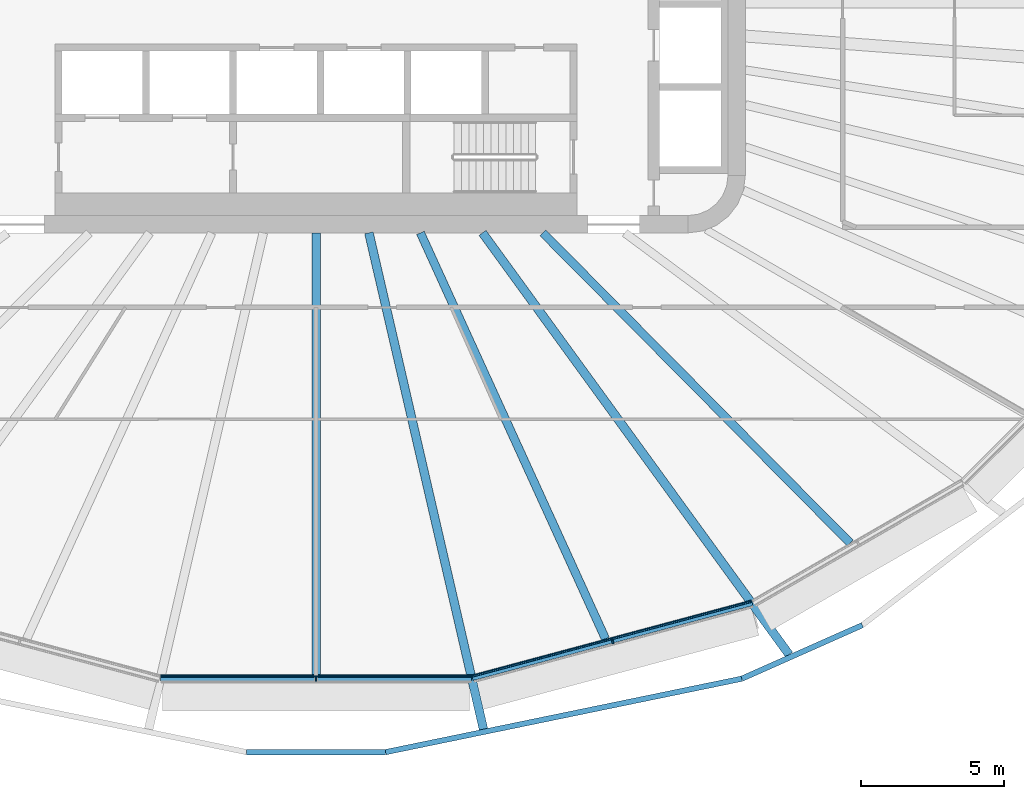
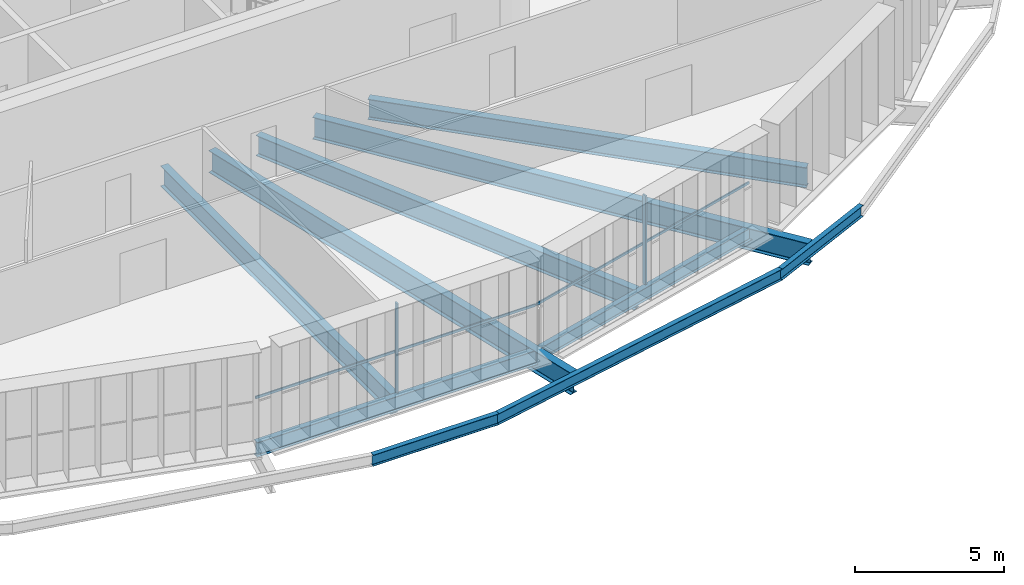
# One storey, part 4 of 25: 10 beams, 4 members, 2 elements without a shape of their own.
"""IFC4 building model written with IfcOpenShell, lengths in metres."""

from ifc_helpers import new_model, si_unit, direction, frame, origin, origin_2d, place, context, subcontext, project, spatial, rectangle, i_section, extrude, material, layer, layer_set, material_profile, profile_set, type_object, element, aggregate, save


model = new_model("IFC4")

# Units and contexts
model_context = context("Model", 3, precision=1e-05, world=origin(), true_north=direction((0.0, 1.0)))
body_context = subcontext(model_context, "Body", "Model", "MODEL_VIEW")
ifc_project = project(units=[si_unit("LENGTHUNIT", "METRE"), si_unit("AREAUNIT", "SQUARE_METRE"), si_unit("VOLUMEUNIT", "CUBIC_METRE"), si_unit("PLANEANGLEUNIT", "RADIAN"), si_unit("MASSUNIT", "GRAM", prefix="KILO")], contexts=[model_context])

# Site, building, storey
site_placement = place(None, origin())
site = spatial("IfcSite", under=ifc_project, at=site_placement, CompositionType="ELEMENT")
building_placement = place(site_placement, origin())
building = spatial("IfcBuilding", under=site, at=building_placement, Name="Sahrelin Media Tower", CompositionType="ELEMENT")
storey_placement = place(building_placement, frame((0.0, 0.0, 144.0)))
storey = spatial("IfcBuildingStorey", under=building, at=storey_placement, Name="L29", CompositionType="ELEMENT", Elevation=144.0)

# Beams
ifc_material_1 = material(Name="Steel S355", Category="steel")
ifc_material_profile_1 = material_profile(ifc_material_1, i_section(OverallWidth=0.208740234375, OverallDepth=0.5283203125, WebThickness=0.009521484375, FlangeThickness=0.01318359375, FilletRadius=0.0126953125, at=origin_2d()), Name="UB 533x210x82")
ifc_profile_set_1 = profile_set([ifc_material_profile_1], Name="Steel S355")
beam_type_1 = type_object("IfcBeamType", Name="Edge beam EB6", PredefinedType="BEAM", material=ifc_profile_set_1)
beam_1_placement = place(storey_placement, frame((15.23779296875, -20.9228515625, -0.414306640625), z_axis=(-0.96592349726, -0.258827737002, 0.0), x_axis=(0.258827737002, -0.96592349726, 0.0)))
element("IfcBeam", 1, at=beam_1_placement, inside=storey, type_object=beam_type_1, Name="Edge beam L29-06", PredefinedType="BEAM", context=body_context, shape_type="SweptSolid", body=[
    extrude(i_section(OverallWidth=0.208740234375, OverallDepth=0.5283203125, WebThickness=0.009521484375, FlangeThickness=0.01318359375, FilletRadius=0.0126953125, at=origin_2d()), origin(), (0.0, 0.0, 1.0), 10.119140625),
])
ifc_material_profile_2 = material_profile(ifc_material_1, i_section(OverallWidth=0.2275390625, OverallDepth=0.6025390625, WebThickness=0.010498046875, FlangeThickness=0.014892578125, FilletRadius=0.0126953125, at=origin_2d()), Name="UB 610x229x101")
ifc_profile_set_2 = profile_set([ifc_material_profile_2], Name="Steel S355")
beam_type_2 = type_object("IfcBeamType", Name="Edge beam EB7", PredefinedType="BEAM", material=ifc_profile_set_2)
beam_2_placement = place(storey_placement, frame((5.434814453125, -23.545654296875, -0.451416015625), z_axis=(-1.0, 0.0, 0.0), x_axis=(0.0, -1.0, 0.0)))
element("IfcBeam", 2, at=beam_2_placement, inside=storey, type_object=beam_type_2, Name="Edge beam L29-07", PredefinedType="BEAM", context=body_context, shape_type="SweptSolid", body=[
    extrude(i_section(OverallWidth=0.2275390625, OverallDepth=0.6025390625, WebThickness=0.010498046875, FlangeThickness=0.014892578125, FilletRadius=0.0126953125, at=origin_2d()), origin(), (0.0, 0.0, 1.0), 10.86962890625),
])

# Curtain wall, member
ifc_material_2 = material(Name="Champagne anodised aluminium 6063-T6", Category="aluminium")
ifc_layer = layer(ifc_material_2, 0.14990234375)
ifc_layer_set = layer_set([ifc_layer], Name="Tower ribbon curtain wall")
curtain_wall_type = type_object("IfcCurtainWallType", Name="Tower ribbon curtain wall", PredefinedType="NOTDEFINED", material=ifc_layer_set)
curtain_wall_1_placement = place(storey_placement, frame((0.0, -23.69580078125, 0.0), z_axis=(0.0, 0.0, 1.0), x_axis=(1.0, 0.0, 0.0)))
curtain_wall_1 = element("IfcCurtainWall", 3, at=curtain_wall_1_placement, inside=storey, type_object=curtain_wall_type, Name="L29:CW:L29-18", PredefinedType="NOTDEFINED")
ifc_material_profile_3 = material_profile(ifc_material_2, rectangle(XDim=0.06005859375, YDim=0.14990234375, at=origin_2d()), Name="Mullion 60x150")
ifc_profile_set_3 = profile_set([ifc_material_profile_3], Name="Champagne anodised aluminium 6063-T6")
member_type_1 = type_object("IfcMemberType", Name="Mullion 60x150 CW1", PredefinedType="MULLION", material=ifc_profile_set_3)
member_1_placement = place(storey_placement, frame((0.0, -23.6005859375, 0.0), z_axis=(0.0, 0.0, 1.0), x_axis=(1.0, 0.0, 0.0)))
member_1 = element("IfcMember", 4, at=member_1_placement, type_object=member_type_1, Name="L29:CWM:L29-18", PredefinedType="MULLION", context=body_context, shape_type="SweptSolid", body=[
    extrude(rectangle(XDim=0.06005859375, YDim=0.14990234375, at=origin_2d()), origin(), (0.0, 0.0, 1.0), 3.648681640625),
])

curtain_wall_2_placement = place(storey_placement, frame((10.389404296875, -22.377197265625, 0.0), z_axis=(0.0, 0.0, 1.0), x_axis=(1.0, 0.0, 0.0)))
curtain_wall_2 = element("IfcCurtainWall", 5, at=curtain_wall_2_placement, inside=storey, type_object=curtain_wall_type, Name="L29:CW:L29-19", PredefinedType="NOTDEFINED")
member_2_placement = place(storey_placement, frame((10.364990234375, -22.285400390625, 0.0), z_axis=(0.0, 0.0, 1.0), x_axis=(0.965925826289, 0.258819045103, 0.0)))
member_2 = element("IfcMember", 6, at=member_2_placement, type_object=member_type_1, Name="L29:CWM:L29-19", PredefinedType="MULLION", context=body_context, shape_type="SweptSolid", body=[
    extrude(rectangle(XDim=0.06005859375, YDim=0.14990234375, at=origin_2d()), origin(), (0.0, 0.0, 1.0), 3.648681640625),
])

# Beams
ifc_material_profile_4 = material_profile(ifc_material_1, i_section(OverallWidth=0.30322265625, OverallDepth=0.903076171875, WebThickness=0.01513671875, FlangeThickness=0.020263671875, FilletRadius=0.01904296875, at=origin_2d()), Name="UB 914x305x201")
ifc_profile_set_4 = profile_set([ifc_material_profile_4], Name="Steel S355")
beam_type_3 = type_object("IfcBeamType", Name="Radial primary beam PB11", PredefinedType="BEAM", material=ifc_profile_set_4)
beam_3_placement = place(storey_placement, frame((1.846435546875, -8.0, -0.6015625), z_axis=(0.224896572048, -0.97438264141, 0.0), x_axis=(0.97438264141, 0.224896572048, 0.0)))
element("IfcBeam", 7, at=beam_3_placement, inside=storey, type_object=beam_type_3, Name="Radial beam L29-19", PredefinedType="BEAM", context=body_context, shape_type="SweptSolid", body=[
    extrude(i_section(OverallWidth=0.30322265625, OverallDepth=0.903076171875, WebThickness=0.01513671875, FlangeThickness=0.020263671875, FilletRadius=0.01904296875, at=origin_2d()), origin(), (0.0, 0.0, 1.0), 17.799072265625),
])
beam_4_placement = place(storey_placement, frame((5.81591796875, -8.0, -0.6015625), z_axis=(0.588034674596, -0.808835719707, 0.0), x_axis=(0.808835719707, 0.588034674596, 0.0)))
element("IfcBeam", 8, at=beam_4_placement, inside=storey, type_object=beam_type_3, Name="Radial beam L29-20", PredefinedType="BEAM", context=body_context, shape_type="SweptSolid", body=[
    extrude(i_section(OverallWidth=0.30322265625, OverallDepth=0.903076171875, WebThickness=0.01513671875, FlangeThickness=0.020263671875, FilletRadius=0.01904296875, at=origin_2d()), origin(), (0.0, 0.0, 1.0), 18.22314453125),
])
ifc_material_profile_5 = material_profile(ifc_material_1, i_section(OverallWidth=0.291748046875, OverallDepth=0.8349609375, WebThickness=0.013916015625, FlangeThickness=0.018798828125, FilletRadius=0.017822265625, at=origin_2d()), Name="UB 838x292x176")
ifc_profile_set_5 = profile_set([ifc_material_profile_5], Name="Steel S355")
beam_type_4 = type_object("IfcBeamType", Name="Radial secondary beam SB10", PredefinedType="BEAM", material=ifc_profile_set_5)
beam_5_placement = place(storey_placement, frame((0.0, -8.0, -0.5673828125), z_axis=(0.0, -1.0, 0.0), x_axis=(1.0, 0.0, 0.0)))
element("IfcBeam", 9, at=beam_5_placement, inside=storey, type_object=beam_type_4, Name="Secondary beam L29-18", PredefinedType="BEAM", context=body_context, shape_type="SweptSolid", body=[
    extrude(i_section(OverallWidth=0.291748046875, OverallDepth=0.8349609375, WebThickness=0.013916015625, FlangeThickness=0.018798828125, FilletRadius=0.017822265625, at=origin_2d()), origin(), (0.0, 0.0, 1.0), 15.431884765625),
])
beam_6_placement = place(storey_placement, frame((3.64697265625, -8.0, -0.5673828125), z_axis=(0.414807797457, -0.909909056538, 0.0), x_axis=(0.909909056538, 0.414807797457, 0.0)))
element("IfcBeam", 10, at=beam_6_placement, inside=storey, type_object=beam_type_4, Name="Secondary beam L29-19", PredefinedType="BEAM", context=body_context, shape_type="SweptSolid", body=[
    extrude(i_section(OverallWidth=0.291748046875, OverallDepth=0.8349609375, WebThickness=0.013916015625, FlangeThickness=0.018798828125, FilletRadius=0.017822265625, at=origin_2d()), origin(), (0.0, 0.0, 1.0), 15.59228515625),
])
beam_7_placement = place(storey_placement, frame((7.92578125, -8.0, -0.5673828125), z_axis=(0.703794822352, -0.710403299563, 0.0), x_axis=(0.710403299563, 0.703794822352, 0.0)))
element("IfcBeam", 11, at=beam_7_placement, inside=storey, type_object=beam_type_4, Name="Secondary beam L29-20", PredefinedType="BEAM", context=body_context, shape_type="SweptSolid", body=[
    extrude(i_section(OverallWidth=0.291748046875, OverallDepth=0.8349609375, WebThickness=0.013916015625, FlangeThickness=0.018798828125, FilletRadius=0.017822265625, at=origin_2d()), origin(), (0.0, 0.0, 1.0), 15.257568359375),
])
ifc_material_profile_6 = material_profile(ifc_material_1, i_section(OverallWidth=0.1904296875, OverallDepth=0.45703125, WebThickness=0.009033203125, FlangeThickness=0.014404296875, FilletRadius=0.01025390625, at=origin_2d()), Name="UB 457x191x74")
ifc_profile_set_6 = profile_set([ifc_material_profile_6], Name="Steel S355")
beam_type_5 = type_object("IfcBeamType", Name="Tie chord TC5", PredefinedType="BEAM", material=ifc_profile_set_6)
beam_8_placement = place(storey_placement, frame((-2.4296875, -26.1455078125, -0.37841796875), z_axis=(1.0, 0.0, 0.0), x_axis=(0.0, 1.0, 0.0)))
element("IfcBeam", 12, at=beam_8_placement, inside=storey, type_object=beam_type_5, Name="Tie chord L29-18", PredefinedType="BEAM", context=body_context, shape_type="SweptSolid", body=[
    extrude(i_section(OverallWidth=0.1904296875, OverallDepth=0.45703125, WebThickness=0.009033203125, FlangeThickness=0.014404296875, FilletRadius=0.01025390625, at=origin_2d()), origin(), (0.0, 0.0, 1.0), 4.859375),
])
beam_9_placement = place(storey_placement, frame((2.4296875, -26.1455078125, -0.37841796875), z_axis=(0.979389379459, 0.201981294685, 0.0), x_axis=(-0.201981294685, 0.979389379459, 0.0)))
element("IfcBeam", 13, at=beam_9_placement, inside=storey, type_object=beam_type_5, Name="Tie chord L29-19", PredefinedType="BEAM", context=body_context, shape_type="SweptSolid", body=[
    extrude(i_section(OverallWidth=0.1904296875, OverallDepth=0.45703125, WebThickness=0.009033203125, FlangeThickness=0.014404296875, FilletRadius=0.01025390625, at=origin_2d()), origin(), (0.0, 0.0, 1.0), 12.712158203125),
])
beam_10_placement = place(storey_placement, frame((14.8798828125, -23.577880859375, -0.37841796875), z_axis=(0.913826849617, 0.406104037062, 0.0), x_axis=(-0.406104037062, 0.913826849617, 0.0)))
element("IfcBeam", 14, at=beam_10_placement, inside=storey, type_object=beam_type_5, Name="Tie chord L29-20", PredefinedType="BEAM", context=body_context, shape_type="SweptSolid", body=[
    extrude(i_section(OverallWidth=0.1904296875, OverallDepth=0.45703125, WebThickness=0.009033203125, FlangeThickness=0.014404296875, FilletRadius=0.01025390625, at=origin_2d()), origin(), (0.0, 0.0, 1.0), 4.605712890625),
])

# Member
ifc_material_profile_7 = material_profile(ifc_material_2, rectangle(XDim=0.050048828125, YDim=0.10009765625, at=origin_2d()), Name="Transom 50x100")
ifc_profile_set_7 = profile_set([ifc_material_profile_7], Name="Champagne anodised aluminium 6063-T6")
member_type_2 = type_object("IfcMemberType", Name="Transom 50x100 CW1", PredefinedType="USERDEFINED", material=ifc_profile_set_7)
member_3_placement = place(storey_placement, frame((-5.419189453125, -23.500732421875, 1.60009765625), z_axis=(1.0, 0.0, 0.0), x_axis=(0.0, 1.0, 0.0)))
member_3 = element("IfcMember", 15, at=member_3_placement, type_object=member_type_2, Name="L29:CWT:L29-18", ObjectType="TRANSOM", PredefinedType="USERDEFINED", context=body_context, shape_type="SweptSolid", body=[
    extrude(rectangle(XDim=0.050048828125, YDim=0.10009765625, at=origin_2d()), origin(), (0.0, 0.0, 1.0), 10.83837890625),
])

aggregate(curtain_wall_1, [member_1, member_3])

member_4_placement = place(storey_placement, frame((5.466796875, -23.494384765625, 1.60009765625), z_axis=(0.965928174808, 0.258810280151, 0.0), x_axis=(-0.258810280151, 0.965928174808, 0.0)))
member_4 = element("IfcMember", 16, at=member_4_placement, type_object=member_type_2, Name="L29:CWT:L29-19", ObjectType="TRANSOM", PredefinedType="USERDEFINED", context=body_context, shape_type="SweptSolid", body=[
    extrude(rectangle(XDim=0.050048828125, YDim=0.10009765625, at=origin_2d()), origin(), (0.0, 0.0, 1.0), 10.087890625),
])

aggregate(curtain_wall_2, [member_2, member_4])

save(model, "model.ifc")
